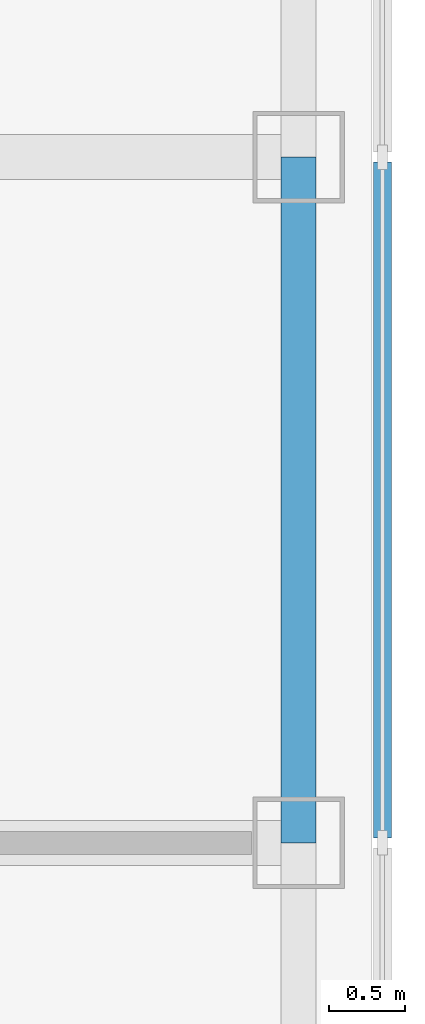
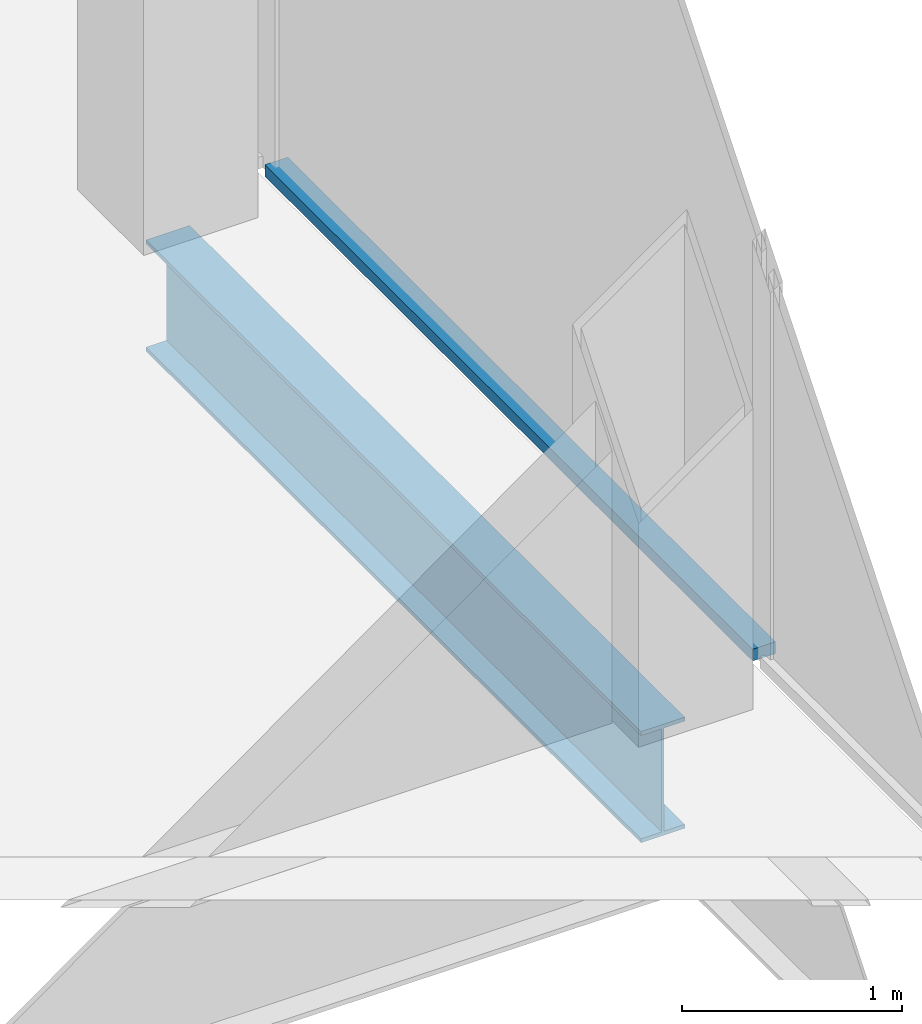
# One storey, part 5 of 14: 1 beam, 1 member, 1 element without a shape of its own.
"""IFC4 building model written with IfcOpenShell, lengths in metres."""

from ifc_helpers import new_model, si_unit, direction, frame, origin, origin_2d, place, context, subcontext, project, spatial, rectangle, i_section, extrude, material, material_profile, profile_set, type_object, element, aggregate, save


model = new_model("IFC4")

# Units and contexts
model_context = context("Model", 3, precision=1e-05, world=origin(), true_north=direction((0.0, 1.0)))
body_context = subcontext(model_context, "Body", "Model", "MODEL_VIEW")
ifc_project = project(units=[si_unit("LENGTHUNIT", "METRE"), si_unit("AREAUNIT", "SQUARE_METRE"), si_unit("VOLUMEUNIT", "CUBIC_METRE"), si_unit("PLANEANGLEUNIT", "RADIAN"), si_unit("MASSUNIT", "GRAM", prefix="KILO")], contexts=[model_context])

# Site, building, storey
site_placement = place(None, origin())
site = spatial("IfcSite", under=ifc_project, at=site_placement, CompositionType="ELEMENT")
building_placement = place(site_placement, origin())
building = spatial("IfcBuilding", under=site, at=building_placement, Name="Corais Broadcast Tower", CompositionType="ELEMENT")
storey_placement = place(building_placement, frame((0.0, 0.0, 286.60009765625)))
storey = spatial("IfcBuildingStorey", under=building, at=storey_placement, Name="L67", CompositionType="ELEMENT", Elevation=286.60009765625)

# Beam
ifc_material_1 = material(Name="Steel ASTM A572 Grade 50", Category="steel")
ifc_material_profile_1 = material_profile(ifc_material_1, i_section(OverallWidth=0.22998046875, OverallDepth=0.616943359375, WebThickness=0.01318359375, FlangeThickness=0.022216796875, at=origin_2d()), Name="W610x140")
ifc_profile_set_1 = profile_set([ifc_material_profile_1], Name="Steel ASTM A572 Grade 50")
beam_type = type_object("IfcBeamType", Name="Spandrel W610x140", PredefinedType="BEAM", material=ifc_profile_set_1)
beam_placement = place(storey_placement, frame((54.0, 27.0, -0.468505859375), z_axis=(0.0, 1.0, 0.0), x_axis=(-1.0, 0.0, 0.0)))
element("IfcBeam", 1, at=beam_placement, inside=storey, type_object=beam_type, Name="SB3 G/15 to H/15", PredefinedType="BEAM", context=body_context, shape_type="SweptSolid", body=[
    extrude(i_section(OverallWidth=0.22998046875, OverallDepth=0.616943359375, WebThickness=0.01318359375, FlangeThickness=0.022216796875, at=origin_2d()), origin(), (0.0, 0.0, 1.0), 4.5),
])

# Curtain wall, member
ifc_material_2 = material(Name="Aluminium and glass", Category="aluminium")
curtain_wall_type = type_object("IfcCurtainWallType", Name="Unitised fritted curtain wall CW3", PredefinedType="NOTDEFINED", material=ifc_material_2)
curtain_wall_placement = place(storey_placement, origin())
curtain_wall = element("IfcCurtainWall", 2, at=curtain_wall_placement, inside=storey, type_object=curtain_wall_type, Name="CW3 curtain wall L67 6", PredefinedType="NOTDEFINED")
ifc_material_3 = material(Name="Aluminium 6063-T6", Category="aluminium")
ifc_material_profile_2 = material_profile(ifc_material_3, rectangle(XDim=0.1201171875, YDim=0.06494140625, at=origin_2d()), Name="Transom CW3 65x120")
ifc_profile_set_2 = profile_set([ifc_material_profile_2], Name="Aluminium 6063-T6")
member_type = type_object("IfcMemberType", Name="Transom CW3 65x120", PredefinedType="USERDEFINED", material=ifc_profile_set_2)
member_placement = place(storey_placement, frame((54.550048828125, 31.467529296875, 0.032470703125), z_axis=(0.0, -1.0, 0.0), x_axis=(1.0, 0.0, 0.0)))
member = element("IfcMember", 3, at=member_placement, type_object=member_type, Name="CW3 transom 3.1", ObjectType="TRANSOM", PredefinedType="USERDEFINED", context=body_context, shape_type="SweptSolid", body=[
    extrude(rectangle(XDim=0.1201171875, YDim=0.06494140625, at=origin_2d()), origin(), (0.0, 0.0, 1.0), 4.43505859375),
])
aggregate(curtain_wall, [member])

save(model, "model.ifc")
